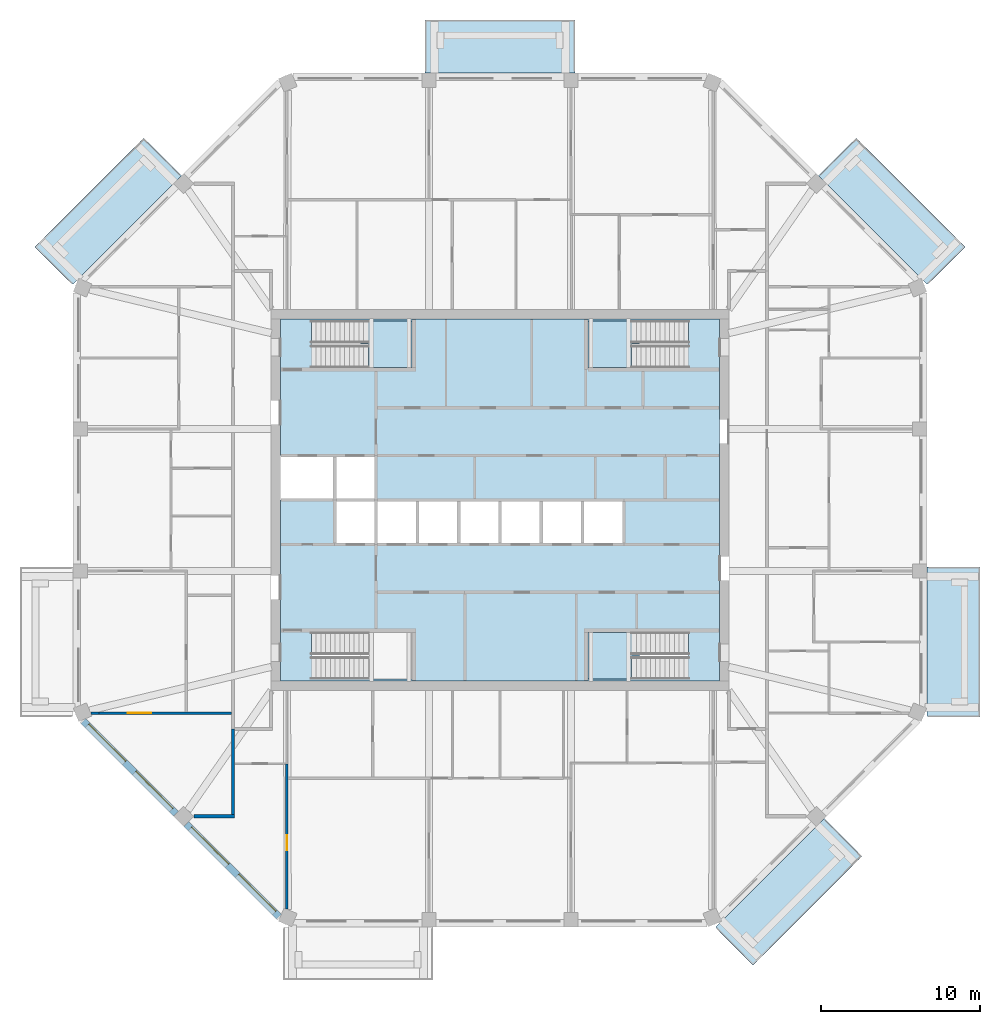
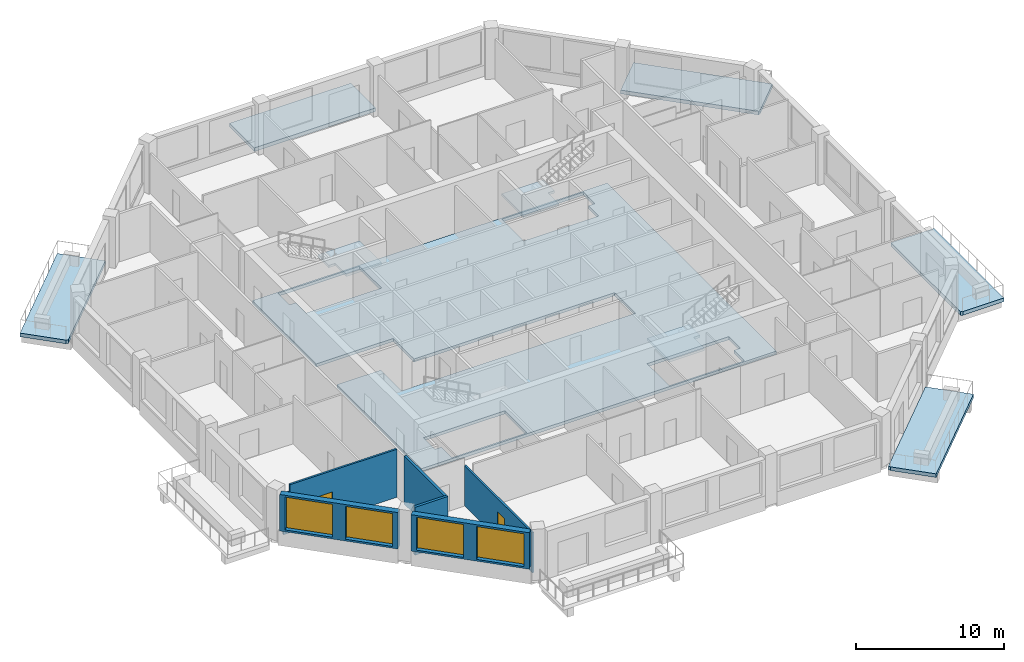
# One storey, part 2 of 11: 9 slabs, 7 walls, 4 windows, 2 doors, 6 openings, 3 elements without a shape of their own.
"""IFC4 building model written with IfcOpenShell, lengths in metres."""

from ifc_helpers import new_model, si_unit, direction, frame, frame_2d, origin, place, context, subcontext, project, spatial, polyline, rectangle, outline, extrude, material, layer, layer_set, type_object, element, fill, aggregate, save


model = new_model("IFC4")

# Units and contexts
model_context = context("Model", 3, precision=1e-05, world=origin(), true_north=direction((0.0, 1.0)))
body_context = subcontext(model_context, "Body", "Model", "MODEL_VIEW")
ifc_project = project(units=[si_unit("LENGTHUNIT", "METRE"), si_unit("AREAUNIT", "SQUARE_METRE"), si_unit("VOLUMEUNIT", "CUBIC_METRE"), si_unit("PLANEANGLEUNIT", "RADIAN"), si_unit("MASSUNIT", "GRAM", prefix="KILO")], contexts=[model_context])

# Site, building, storey
site_placement = place(None, origin())
site = spatial("IfcSite", under=ifc_project, at=site_placement, CompositionType="ELEMENT")
building_placement = place(site_placement, origin())
building = spatial("IfcBuilding", under=site, at=building_placement, Name="Msitu Wima Residences", CompositionType="ELEMENT")
storey_placement = place(building_placement, frame((0.0, 0.0, 302.10009765625)))
storey = spatial("IfcBuildingStorey", under=building, at=storey_placement, Name="L70", CompositionType="ELEMENT", Elevation=302.10009765625)

# Slabs
ifc_material_1 = material(Name="Concrete C40/50", Category="concrete")
ifc_layer_1 = layer(ifc_material_1, 0.300048828125)
ifc_layer_set_1 = layer_set([ifc_layer_1], Name="Concrete C40/50")
slab_type_1 = type_object("IfcSlabType", Name="Balcony slab BS300", PredefinedType="FLOOR", material=ifc_layer_set_1)
slab_1_placement = place(storey_placement, frame((0.0, 0.0, -0.300048828125)))
element("IfcSlab", 1, at=slab_1_placement, inside=storey, type_object=slab_type_1, Name="Balcony E0 L70", PredefinedType="FLOOR", context=body_context, shape_type="SweptSolid", body=[
    extrude(outline(polyline([(26.85009765625, -13.105224609375), (26.85009765625, -13.105224609375), (26.85009765625, -4.918701171875), (26.85009765625, -4.21875), (30.199951171875, -4.21875), (30.199951171875, -13.656005859375), (27.003662109375, -13.656005859375), (26.85009765625, -13.59228515625), (26.85009765625, -13.105224609375), (26.85009765625, -13.105224609375)])), origin(), (0.0, 0.0, 1.0), 0.300048828125),
])
slab_2_placement = place(storey_placement, frame((0.0, 0.0, -0.300048828125)))
element("IfcSlab", 2, at=slab_2_placement, inside=storey, type_object=slab_type_1, Name="Balcony NE0 L70", PredefinedType="FLOOR", context=body_context, shape_type="SweptSolid", body=[
    extrude(outline(polyline([(26.505615234375, 13.936767578125), (26.505615234375, 13.936767578125), (20.04443359375, 20.39794921875), (22.4130859375, 22.766845703125), (29.263671875, 15.916015625), (27.003662109375, 13.656005859375), (26.85009765625, 13.59228515625), (26.505615234375, 13.936767578125), (26.505615234375, 13.936767578125)])), origin(), (0.0, 0.0, 1.0), 0.300048828125),
])
slab_3_placement = place(storey_placement, frame((0.0, 0.0, -0.300048828125)))
element("IfcSlab", 3, at=slab_3_placement, inside=storey, type_object=slab_type_1, Name="Balcony N1 L70", PredefinedType="FLOOR", context=body_context, shape_type="SweptSolid", body=[
    extrude(outline(polyline([(4.0185546875, 26.85009765625), (-4.0185546875, 26.85009765625), (-4.71875, 26.85009765625), (-4.71875, 30.199951171875), (4.71875, 30.199951171875), (4.71875, 26.85009765625), (4.0185546875, 26.85009765625)])), origin(), (0.0, 0.0, 1.0), 0.300048828125),
])
slab_4_placement = place(storey_placement, frame((0.0, 0.0, -0.300048828125)))
element("IfcSlab", 4, at=slab_4_placement, inside=storey, type_object=slab_type_1, Name="Balcony NW1 L70", PredefinedType="FLOOR", context=body_context, shape_type="SweptSolid", body=[
    extrude(outline(polyline([(-26.505615234375, 13.936767578125), (-26.505615234375, 13.936767578125), (-26.85009765625, 13.59228515625), (-27.003662109375, 13.656005859375), (-29.263671875, 15.916015625), (-22.4130859375, 22.766845703125), (-20.04443359375, 20.39794921875), (-26.505615234375, 13.936767578125), (-26.505615234375, 13.936767578125)])), origin(), (0.0, 0.0, 1.0), 0.300048828125),
])
slab_5_placement = place(storey_placement, frame((0.0, 0.0, -0.300048828125)))
element("IfcSlab", 5, at=slab_5_placement, inside=storey, type_object=slab_type_1, Name="Balcony SE0 L70", PredefinedType="FLOOR", context=body_context, shape_type="SweptSolid", body=[
    extrude(outline(polyline([(13.936767578125, -26.505615234375), (13.936767578125, -26.505615234375), (20.39794921875, -20.04443359375), (22.766845703125, -22.4130859375), (15.916015625, -29.263671875), (13.656005859375, -27.003662109375), (13.59228515625, -26.85009765625), (13.936767578125, -26.505615234375), (13.936767578125, -26.505615234375)])), origin(), (0.0, 0.0, 1.0), 0.300048828125),
])
ifc_layer_2 = layer(ifc_material_1, 0.25)
ifc_layer_set_2 = layer_set([ifc_layer_2], Name="Concrete C40/50")
slab_type_2 = type_object("IfcSlabType", Name="Core floor CF250", PredefinedType="FLOOR", material=ifc_layer_set_2)
slab_6_placement = place(storey_placement, frame((0.0, 0.0, -0.25)))
element("IfcSlab", 6, at=slab_6_placement, inside=storey, type_object=slab_type_2, Name="Core floor", PredefinedType="FLOOR", context=body_context, shape_type="SweptSolid", body=[
    extrude(outline(polyline([(-13.800048828125, 11.39990234375), (-13.800048828125, 2.800048828125), (-10.39990234375, 2.800048828125), (-7.800048828125, 2.800048828125), (-7.800048828125, 0.0), (-5.199951171875, 0.0), (-2.60009765625, 0.0), (0.0, 0.0), (2.60009765625, 0.0), (5.199951171875, 0.0), (7.800048828125, 0.0), (7.800048828125, -2.800048828125), (5.199951171875, -2.800048828125), (2.60009765625, -2.800048828125), (0.0, -2.800048828125), (-2.60009765625, -2.800048828125), (-5.199951171875, -2.800048828125), (-7.800048828125, -2.800048828125), (-10.39990234375, -2.800048828125), (-10.39990234375, 0.0), (-13.800048828125, 0.0), (-13.800048828125, -11.39990234375), (13.800048828125, -11.39990234375), (13.800048828125, 11.39990234375), (-13.800048828125, 11.39990234375)]), holes=[polyline([(-11.375, -11.27490234375), (-11.375, -9.875), (-11.87451171875, -9.875), (-11.87451171875, -8.324951171875), (-5.52490234375, -8.324951171875), (-5.52490234375, -11.27490234375), (-11.375, -11.27490234375)]), polyline([(-11.375, 8.324951171875), (-11.375, 9.72509765625), (-11.87451171875, 9.72509765625), (-11.87451171875, 11.27490234375), (-5.52490234375, 11.27490234375), (-5.52490234375, 8.324951171875), (-11.375, 8.324951171875)]), polyline([(11.375, -9.875), (11.375, -11.27490234375), (5.52490234375, -11.27490234375), (5.52490234375, -8.324951171875), (11.87451171875, -8.324951171875), (11.87451171875, -9.875), (11.375, -9.875)]), polyline([(11.375, 9.72509765625), (11.375, 8.324951171875), (5.52490234375, 8.324951171875), (5.52490234375, 11.27490234375), (11.87451171875, 11.27490234375), (11.87451171875, 9.72509765625), (11.375, 9.72509765625)])]), origin(), (0.0, 0.0, 1.0), 0.25),
])

# Stair, slab
stair_type = type_object("IfcStairType", Name="Exit stair ES1615-140", PredefinedType="HALF_TURN_STAIR", material=ifc_material_1)
stair_1_placement = place(storey_placement, origin())
stair_1 = element("IfcStair", 7, at=stair_1_placement, inside=storey, type_object=stair_type, Name="Exit stair 1", PredefinedType="HALF_TURN_STAIR")
ifc_layer_3 = layer(ifc_material_1, 0.199951171875)
ifc_layer_set_3 = layer_set([ifc_layer_3], Name="Concrete C40/50")
slab_type_3 = type_object("IfcSlabType", Name="Stair landing SL200", PredefinedType="LANDING", material=ifc_layer_set_3)
slab_7_placement = place(storey_placement, frame((0.0, 0.0, 1.89990234375)))
slab_7 = element("IfcSlab", 8, at=slab_7_placement, type_object=slab_type_3, Name="S1 landing 1", PredefinedType="LANDING", context=body_context, shape_type="SweptSolid", body=[
    extrude(outline(polyline([(-5.52490234375, 8.324951171875), (-8.275390625, 8.324951171875), (-8.275390625, 9.800048828125), (-8.77490234375, 9.800048828125), (-8.77490234375, 11.27490234375), (-5.52490234375, 11.27490234375), (-5.52490234375, 8.324951171875)])), origin(), (0.0, 0.0, 1.0), 0.199951171875),
])
aggregate(stair_1, [slab_7])

stair_2_placement = place(storey_placement, origin())
stair_2 = element("IfcStair", 9, at=stair_2_placement, inside=storey, type_object=stair_type, Name="Exit stair 3", PredefinedType="HALF_TURN_STAIR")
slab_8_placement = place(storey_placement, frame((0.0, 0.0, 1.89990234375)))
slab_8 = element("IfcSlab", 10, at=slab_8_placement, type_object=slab_type_3, Name="S3 landing 1", PredefinedType="LANDING", context=body_context, shape_type="SweptSolid", body=[
    extrude(outline(polyline([(5.52490234375, 8.324951171875), (8.275390625, 8.324951171875), (8.275390625, 9.800048828125), (8.77490234375, 9.800048828125), (8.77490234375, 11.27490234375), (5.52490234375, 11.27490234375), (5.52490234375, 8.324951171875)])), origin(), (0.0, 0.0, 1.0), 0.199951171875),
])
aggregate(stair_2, [slab_8])

stair_3_placement = place(storey_placement, origin())
stair_3 = element("IfcStair", 11, at=stair_3_placement, inside=storey, type_object=stair_type, Name="Exit stair 4", PredefinedType="HALF_TURN_STAIR")
slab_9_placement = place(storey_placement, frame((0.0, 0.0, 1.89990234375)))
slab_9 = element("IfcSlab", 12, at=slab_9_placement, type_object=slab_type_3, Name="S4 landing 1", PredefinedType="LANDING", context=body_context, shape_type="SweptSolid", body=[
    extrude(outline(polyline([(5.52490234375, -11.27490234375), (8.275390625, -11.27490234375), (8.275390625, -9.800048828125), (8.77490234375, -9.800048828125), (8.77490234375, -8.324951171875), (5.52490234375, -8.324951171875), (5.52490234375, -11.27490234375)])), origin(), (0.0, 0.0, 1.0), 0.199951171875),
])
aggregate(stair_3, [slab_9])

# Wall, openings, windows
ifc_material_2 = material(Name="Brick (red buff mix)", Category="masonry")
ifc_layer_4 = layer(ifc_material_2, 0.449951171875)
ifc_layer_set_4 = layer_set([ifc_layer_4], Name="Brick (red buff mix)")
wall_type_1 = type_object("IfcWallType", Name="Brick infill wall BW450", PredefinedType="SOLIDWALL", material=ifc_layer_set_4)
wall_1_placement = place(storey_placement, frame((-26.214599609375, -13.909423828125, 0.89990234375), z_axis=(0.0, 0.0, 1.0), x_axis=(0.707106781187, -0.707106781187, 0.0)))
wall_1 = element("IfcWall", 13, at=wall_1_placement, inside=storey, type_object=wall_type_1, Name="Brick infill wall L70 SW0", PredefinedType="SOLIDWALL", context=body_context, shape_type="SweptSolid", body=[
    extrude(rectangle(XDim=8.251220703125, YDim=0.449951171875, at=frame_2d((4.12548828125, 0.0))), origin(), (0.0, 0.0, 1.0), 3.0),
])
opening_1_placement = place(wall_1_placement, frame((0.37548828125, 0.0, 0.14990234375)))
opening_1 = element("IfcOpeningElement", 14, at=opening_1_placement, cuts=wall_1, Name="Opening W68-70.025", PredefinedType="OPENING", context=body_context, shape_type="SweptSolid", body=[
    extrude(rectangle(XDim=3.300048828125, YDim=2.699951171875, at=frame_2d((1.64990234375, 1.35009765625))), frame((0.0, 0.23486328125, 0.0), z_axis=(0.0, -1.0, 0.0), x_axis=(1.0, 0.0, 0.0)), (0.0, 0.0, 1.0), 0.469970703125),
])
opening_2_placement = place(wall_1_placement, frame((4.57568359375, 0.0, 0.14990234375)))
opening_2 = element("IfcOpeningElement", 15, at=opening_2_placement, cuts=wall_1, Name="Opening W68-70.026", PredefinedType="OPENING", context=body_context, shape_type="SweptSolid", body=[
    extrude(rectangle(XDim=3.300048828125, YDim=2.699951171875, at=frame_2d((1.64990234375, 1.35009765625))), frame((0.0, 0.23486328125, 0.0), z_axis=(0.0, -1.0, 0.0), x_axis=(1.0, 0.0, 0.0)), (0.0, 0.0, 1.0), 0.469970703125),
])
ifc_material_3 = material(Name="Anodised aluminium, bronze finish, clear low-emissivity double glazing", Category="aluminium")
window_type = type_object("IfcWindowType", Name="Window W3300x2700", PartitioningType="DOUBLE_PANEL_VERTICAL", PredefinedType="WINDOW", material=ifc_material_3)
window_1_placement = place(opening_1_placement, origin())
window_1 = element("IfcWindow", 16, at=window_1_placement, inside=storey, type_object=window_type, Name="Window L70 SW0.1", OverallHeight=2.699951171875, OverallWidth=3.300048828125, PartitioningType="SINGLE_PANEL", PredefinedType="WINDOW", context=body_context, shape_type="SweptSolid", body=[
    extrude(rectangle(XDim=3.300048828125, YDim=2.699951171875, at=frame_2d((1.64990234375, 1.35009765625))), frame((0.0, 0.135009765625, 0.0), z_axis=(0.0, -1.0, 0.0), x_axis=(1.0, 0.0, 0.0)), (0.0, 0.0, 1.0), 0.06005859375),
])
fill(opening_1, window_1)
window_2_placement = place(opening_2_placement, origin())
window_2 = element("IfcWindow", 17, at=window_2_placement, inside=storey, type_object=window_type, Name="Window L70 SW0.2", OverallHeight=2.699951171875, OverallWidth=3.300048828125, PartitioningType="SINGLE_PANEL", PredefinedType="WINDOW", context=body_context, shape_type="SweptSolid", body=[
    extrude(rectangle(XDim=3.300048828125, YDim=2.699951171875, at=frame_2d((1.64990234375, 1.35009765625))), frame((0.0, 0.135009765625, 0.0), z_axis=(0.0, -1.0, 0.0), x_axis=(1.0, 0.0, 0.0)), (0.0, 0.0, 1.0), 0.06005859375),
])
fill(opening_2, window_2)

wall_2_placement = place(storey_placement, frame((-19.743896484375, -20.380126953125, 0.89990234375), z_axis=(0.0, 0.0, 1.0), x_axis=(0.707106781187, -0.707106781187, 0.0)))
wall_2 = element("IfcWall", 18, at=wall_2_placement, inside=storey, type_object=wall_type_1, Name="Brick infill wall L70 SW1", PredefinedType="SOLIDWALL", context=body_context, shape_type="SweptSolid", body=[
    extrude(rectangle(XDim=8.251220703125, YDim=0.449951171875, at=frame_2d((4.12548828125, 0.0))), origin(), (0.0, 0.0, 1.0), 3.0),
])
opening_3_placement = place(wall_2_placement, frame((0.37548828125, 0.0, 0.14990234375)))
opening_3 = element("IfcOpeningElement", 19, at=opening_3_placement, cuts=wall_2, Name="Opening W68-70.027", PredefinedType="OPENING", context=body_context, shape_type="SweptSolid", body=[
    extrude(rectangle(XDim=3.300048828125, YDim=2.699951171875, at=frame_2d((1.64990234375, 1.35009765625))), frame((0.0, 0.23486328125, 0.0), z_axis=(0.0, -1.0, 0.0), x_axis=(1.0, 0.0, 0.0)), (0.0, 0.0, 1.0), 0.469970703125),
])
opening_4_placement = place(wall_2_placement, frame((4.57568359375, 0.0, 0.14990234375)))
opening_4 = element("IfcOpeningElement", 20, at=opening_4_placement, cuts=wall_2, Name="Opening W68-70.028", PredefinedType="OPENING", context=body_context, shape_type="SweptSolid", body=[
    extrude(rectangle(XDim=3.300048828125, YDim=2.699951171875, at=frame_2d((1.64990234375, 1.35009765625))), frame((0.0, 0.23486328125, 0.0), z_axis=(0.0, -1.0, 0.0), x_axis=(1.0, 0.0, 0.0)), (0.0, 0.0, 1.0), 0.469970703125),
])
window_3_placement = place(opening_3_placement, origin())
window_3 = element("IfcWindow", 21, at=window_3_placement, inside=storey, type_object=window_type, Name="Window L70 SW1.1", OverallHeight=2.699951171875, OverallWidth=3.300048828125, PartitioningType="SINGLE_PANEL", PredefinedType="WINDOW", context=body_context, shape_type="SweptSolid", body=[
    extrude(rectangle(XDim=3.300048828125, YDim=2.699951171875, at=frame_2d((1.64990234375, 1.35009765625))), frame((0.0, 0.135009765625, 0.0), z_axis=(0.0, -1.0, 0.0), x_axis=(1.0, 0.0, 0.0)), (0.0, 0.0, 1.0), 0.06005859375),
])
fill(opening_3, window_3)
window_4_placement = place(opening_4_placement, origin())
window_4 = element("IfcWindow", 22, at=window_4_placement, inside=storey, type_object=window_type, Name="Window L70 SW1.2", OverallHeight=2.699951171875, OverallWidth=3.300048828125, PartitioningType="SINGLE_PANEL", PredefinedType="WINDOW", context=body_context, shape_type="SweptSolid", body=[
    extrude(rectangle(XDim=3.300048828125, YDim=2.699951171875, at=frame_2d((1.64990234375, 1.35009765625))), frame((0.0, 0.135009765625, 0.0), z_axis=(0.0, -1.0, 0.0), x_axis=(1.0, 0.0, 0.0)), (0.0, 0.0, 1.0), 0.06005859375),
])
fill(opening_4, window_4)

# Wall
ifc_material_4 = material(Name="Plaster")
ifc_layer_5 = layer(ifc_material_4, 0.011962890625, Name="Plaster")
ifc_material_5 = material(Name="Concrete blockwork", Category="masonry")
ifc_layer_6 = layer(ifc_material_5, 0.1259765625, Name="Concrete blockwork")
ifc_layer_7 = layer(ifc_material_4, 0.011962890625, Name="Plaster")
ifc_layer_set_5 = layer_set([ifc_layer_5, ifc_layer_6, ifc_layer_7], Name="Concrete blockwork")
wall_type_2 = type_object("IfcWallType", Name="Partition PW150", PredefinedType="PARTITIONING", material=ifc_layer_set_5)
wall_3_placement = place(storey_placement, frame((-25.731201171875, -13.406005859375, 0.0), z_axis=(0.0, 0.0, 1.0), x_axis=(1.0, 0.0, 0.0)))
element("IfcWall", 23, at=wall_3_placement, inside=storey, type_object=wall_type_2, Name="Partition", PredefinedType="PARTITIONING", context=body_context, shape_type="SweptSolid", body=[
    extrude(rectangle(XDim=0.507080078125, YDim=0.14990234375, at=frame_2d((0.25341796875, 0.0))), origin(), (0.0, 0.0, 1.0), 3.349853515625),
])

# Wall, opening, door
wall_4_placement = place(storey_placement, frame((-25.22412109375, -13.406005859375, 0.0), z_axis=(0.0, 0.0, 1.0), x_axis=(1.0, 0.0, 0.0)))
wall_4 = element("IfcWall", 24, at=wall_4_placement, inside=storey, type_object=wall_type_2, Name="Partition", PredefinedType="PARTITIONING", context=body_context, shape_type="SweptSolid", body=[
    extrude(rectangle(XDim=8.32421875, YDim=0.14990234375, at=frame_2d((4.162109375, 0.0))), origin(), (0.0, 0.0, 1.0), 3.949951171875),
])
opening_5_placement = place(wall_4_placement, frame((1.79296875, 0.0, 0.0)))
opening_5 = element("IfcOpeningElement", 25, at=opening_5_placement, cuts=wall_4, Name="Opening D68-70.041", PredefinedType="OPENING", context=body_context, shape_type="SweptSolid", body=[
    extrude(rectangle(XDim=1.5, YDim=2.199951171875, at=frame_2d((0.75, 1.10009765625))), frame((0.0, 0.0849609375, 0.0), z_axis=(0.0, -1.0, 0.0), x_axis=(1.0, 0.0, 0.0)), (0.0, 0.0, 1.0), 0.169921875),
])
ifc_material_6 = material(Name="Timber double door", Category="wood")
door_type_1 = type_object("IfcDoorType", Name="Double door D04 1500x2200", OperationType="DOUBLE_DOOR_SINGLE_SWING", PredefinedType="DOOR", material=ifc_material_6)
door_1_placement = place(opening_5_placement, origin())
door_1 = element("IfcDoor", 26, at=door_1_placement, inside=storey, type_object=door_type_1, Name="Double door", OperationType="DOUBLE_DOOR_SINGLE_SWING", OverallHeight=2.199951171875, OverallWidth=1.5, PredefinedType="DOOR", context=body_context, shape_type="SweptSolid", body=[
    extrude(rectangle(XDim=1.5, YDim=2.199951171875, at=frame_2d((0.75, 1.10009765625))), frame((0.0, 0.02490234375, 0.0), z_axis=(0.0, -1.0, 0.0), x_axis=(1.0, 0.0, 0.0)), (0.0, 0.0, 1.0), 0.050048828125),
])
fill(opening_5, door_1)

wall_5_placement = place(storey_placement, frame((-13.406005859375, -25.731201171875, 0.0), z_axis=(0.0, 0.0, 1.0), x_axis=(0.0, 1.0, 0.0)))
wall_5 = element("IfcWall", 27, at=wall_5_placement, inside=storey, type_object=wall_type_2, Name="Partition", PredefinedType="PARTITIONING", context=body_context, shape_type="SweptSolid", body=[
    extrude(rectangle(XDim=9.131103515625, YDim=0.14990234375, at=frame_2d((4.5654296875, 0.0))), origin(), (0.0, 0.0, 1.0), 3.2998046875),
])
opening_6_placement = place(wall_5_placement, frame((3.699951171875, 0.0, 0.0)))
opening_6 = element("IfcOpeningElement", 28, at=opening_6_placement, cuts=wall_5, Name="Opening D68-70.046", PredefinedType="OPENING", context=body_context, shape_type="SweptSolid", body=[
    extrude(rectangle(XDim=0.949951171875, YDim=2.199951171875, at=frame_2d((0.47509765625, 1.10009765625))), frame((0.0, 0.0849609375, 0.0), z_axis=(0.0, -1.0, 0.0), x_axis=(1.0, 0.0, 0.0)), (0.0, 0.0, 1.0), 0.169921875),
])
ifc_material_7 = material(Name="Timber flush door", Category="wood")
door_type_2 = type_object("IfcDoorType", Name="Room door D12 950x2200", OperationType="SINGLE_SWING_LEFT", PredefinedType="DOOR", material=ifc_material_7)
door_2_placement = place(opening_6_placement, origin())
door_2 = element("IfcDoor", 29, at=door_2_placement, inside=storey, type_object=door_type_2, Name="Room door", OperationType="SINGLE_SWING_RIGHT", OverallHeight=2.199951171875, OverallWidth=0.949951171875, PredefinedType="DOOR", context=body_context, shape_type="SweptSolid", body=[
    extrude(rectangle(XDim=0.949951171875, YDim=2.199951171875, at=frame_2d((0.47509765625, 1.10009765625))), frame((0.0, 0.02490234375, 0.0), z_axis=(0.0, -1.0, 0.0), x_axis=(1.0, 0.0, 0.0)), (0.0, 0.0, 1.0), 0.050048828125),
])
fill(opening_6, door_2)

# Walls
ifc_layer_8 = layer(ifc_material_4, 0.011962890625, Name="Plaster")
ifc_material_8 = material(Name="Dense concrete blockwork", Category="masonry")
ifc_layer_9 = layer(ifc_material_8, 0.176025390625, Name="Dense concrete blockwork")
ifc_layer_10 = layer(ifc_material_4, 0.011962890625, Name="Plaster")
ifc_layer_set_6 = layer_set([ifc_layer_8, ifc_layer_9, ifc_layer_10], Name="Dense concrete blockwork")
wall_type_3 = type_object("IfcWallType", Name="Party wall PW200", PredefinedType="PARTITIONING", material=ifc_layer_set_6)
wall_6_placement = place(storey_placement, frame((-19.2666015625, -19.90283203125, 0.0), z_axis=(0.0, 0.0, 1.0), x_axis=(1.0, 0.0, 0.0)))
element("IfcWall", 30, at=wall_6_placement, inside=storey, type_object=wall_type_3, Name="Party wall", PredefinedType="PARTITIONING", context=body_context, shape_type="SweptSolid", body=[
    extrude(rectangle(XDim=2.566650390625, YDim=0.199951171875, at=frame_2d((1.283203125, 0.0))), origin(), (0.0, 0.0, 1.0), 3.949951171875),
])
wall_7_placement = place(storey_placement, frame((-16.800048828125, -19.802978515625, 0.0), z_axis=(0.0, 0.0, 1.0), x_axis=(0.0, 1.0, 0.0)))
element("IfcWall", 31, at=wall_7_placement, inside=storey, type_object=wall_type_3, Name="Party wall", PredefinedType="PARTITIONING", context=body_context, shape_type="SweptSolid", body=[
    extrude(rectangle(XDim=5.403076171875, YDim=0.199951171875, at=frame_2d((2.70166015625, 0.0))), origin(), (0.0, 0.0, 1.0), 3.949951171875),
])

save(model, "model.ifc")
